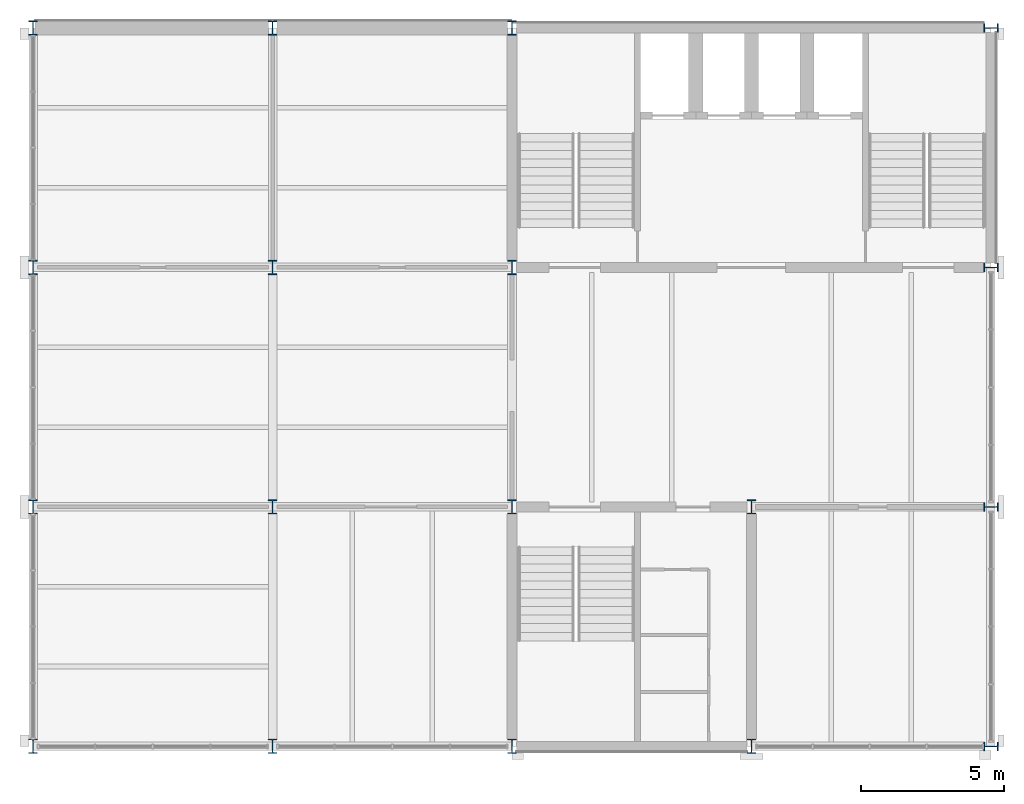
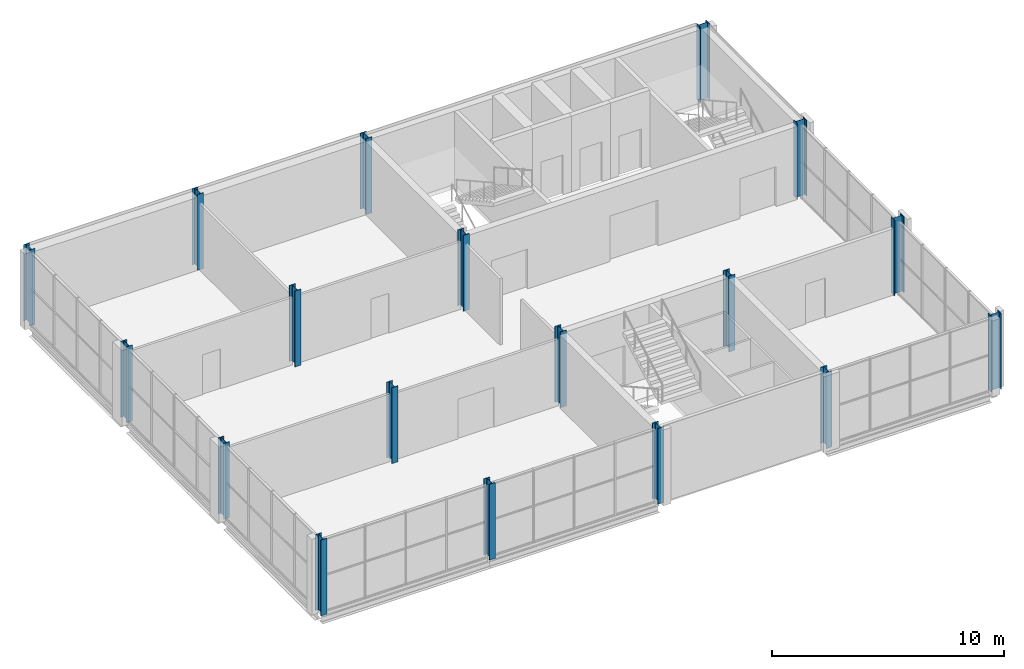
# One storey, part 1 of 12: 18 columns.
"""IFC4 building model written with IfcOpenShell, lengths in metres."""

from ifc_helpers import new_model, si_unit, direction, frame, origin, origin_2d, place, context, subcontext, project, spatial, i_section, extrude, material, material_profile, profile_set, type_object, element, save


model = new_model("IFC4")

# Units and contexts
model_context = context("Model", 3, precision=1e-05, world=origin(), true_north=direction((0.0, 1.0)))
body_context = subcontext(model_context, "Body", "Model", "MODEL_VIEW")
ifc_project = project(units=[si_unit("LENGTHUNIT", "METRE"), si_unit("AREAUNIT", "SQUARE_METRE"), si_unit("VOLUMEUNIT", "CUBIC_METRE"), si_unit("PLANEANGLEUNIT", "RADIAN"), si_unit("MASSUNIT", "GRAM", prefix="KILO")], contexts=[model_context])

# Site, building, storey
site_placement = place(None, origin())
site = spatial("IfcSite", under=ifc_project, at=site_placement, CompositionType="ELEMENT")
building_placement = place(site_placement, origin())
building = spatial("IfcBuilding", under=site, at=building_placement, Name="Galleria Vessillo Department Store", CompositionType="ELEMENT")
storey_placement = place(building_placement, frame((0.0, 0.0, 39.60009765625)))
storey = spatial("IfcBuildingStorey", under=building, at=storey_placement, Name="L08", CompositionType="ELEMENT", Elevation=39.60009765625)

# Columns
ifc_material = material(Name="Steel S355 J2", Category="steel")
ifc_material_profile = material_profile(ifc_material, i_section(OverallWidth=0.300048828125, OverallDepth=0.5, WebThickness=0.014404296875, FlangeThickness=0.028076171875, FilletRadius=0.027099609375, at=origin_2d()), Name="HEB 500")
ifc_profile_set = profile_set([ifc_material_profile], Name="Steel S355 J2")
column_type = type_object("IfcColumnType", Name="Steel column HEB 500 CT3", PredefinedType="COLUMN", material=ifc_profile_set)
for number, where, z_axis, x_axis, name in (
    (1, (84.0, 37.800048828125, 0.0), (0.0, 0.0, 1.0), (1.0, 0.0, 0.0), "S-COL-L08-11-E"),
    (2, (84.0, 46.199951171875, 0.0), (0.0, 0.0, 1.0), (1.0, 0.0, 0.0), "S-COL-L08-11-F"),
    (3, (84.0, 54.60009765625, 0.0), (0.0, 0.0, 1.0), (1.0, 0.0, 0.0), "S-COL-L08-11-G"),
    (4, (84.0, 63.0, 0.0), (0.0, 0.0, 1.0), (1.0, 0.0, 0.0), "S-COL-L08-11-H"),
    (5, (92.39990234375, 37.800048828125, 0.0), (0.0, 0.0, 1.0), (1.0, 0.0, 0.0), "S-COL-L08-12-E"),
    (6, (92.39990234375, 46.199951171875, 0.0), (0.0, 0.0, 1.0), (1.0, 0.0, 0.0), "S-COL-L08-12-F"),
    (7, (92.39990234375, 54.60009765625, 0.0), (0.0, 0.0, 1.0), (1.0, 0.0, 0.0), "S-COL-L08-12-G"),
    (8, (92.39990234375, 63.0, 0.0), (0.0, 0.0, 1.0), (1.0, 0.0, 0.0), "S-COL-L08-12-H"),
    (9, (100.800048828125, 37.800048828125, 0.0), (0.0, 0.0, 1.0), (1.0, 0.0, 0.0), "S-COL-L08-13-E"),
    (10, (100.800048828125, 46.199951171875, 0.0), (0.0, 0.0, 1.0), (1.0, 0.0, 0.0), "S-COL-L08-13-F"),
    (11, (100.800048828125, 54.60009765625, 0.0), (0.0, 0.0, 1.0), (1.0, 0.0, 0.0), "S-COL-L08-13-G"),
    (12, (100.800048828125, 63.0, 0.0), (0.0, 0.0, 1.0), (1.0, 0.0, 0.0), "S-COL-L08-13-H"),
    (13, (109.199951171875, 37.800048828125, 0.0), (0.0, 0.0, 1.0), (1.0, 0.0, 0.0), "S-COL-L08-14-E"),
    (14, (109.199951171875, 46.199951171875, 0.0), (0.0, 0.0, 1.0), (1.0, 0.0, 0.0), "S-COL-L08-14-F"),
    (15, (117.60009765625, 37.800048828125, 0.0), (0.0, 0.0, 1.0), (0.0, 1.0, 0.0), "S-COL-L08-15-E"),
    (16, (117.60009765625, 46.199951171875, 0.0), (0.0, 0.0, 1.0), (0.0, 1.0, 0.0), "S-COL-L08-15-F"),
    (17, (117.60009765625, 54.60009765625, 0.0), (0.0, 0.0, 1.0), (0.0, 1.0, 0.0), "S-COL-L08-15-G"),
    (18, (117.60009765625, 63.0, 0.0), (0.0, 0.0, 1.0), (0.0, 1.0, 0.0), "S-COL-L08-15-H"),
):
    element("IfcColumn", number, at=place(storey_placement, frame(where, z_axis=z_axis, x_axis=x_axis)), inside=storey, type_object=column_type, Name=name, PredefinedType="COLUMN", context=body_context, shape_type="SweptSolid", body=[
        extrude(i_section(OverallWidth=0.300048828125, OverallDepth=0.5, WebThickness=0.014404296875, FlangeThickness=0.028076171875, FilletRadius=0.027099609375, at=origin_2d()), origin(), (0.0, 0.0, 1.0), 4.0),
    ])

save(model, "model.ifc")
